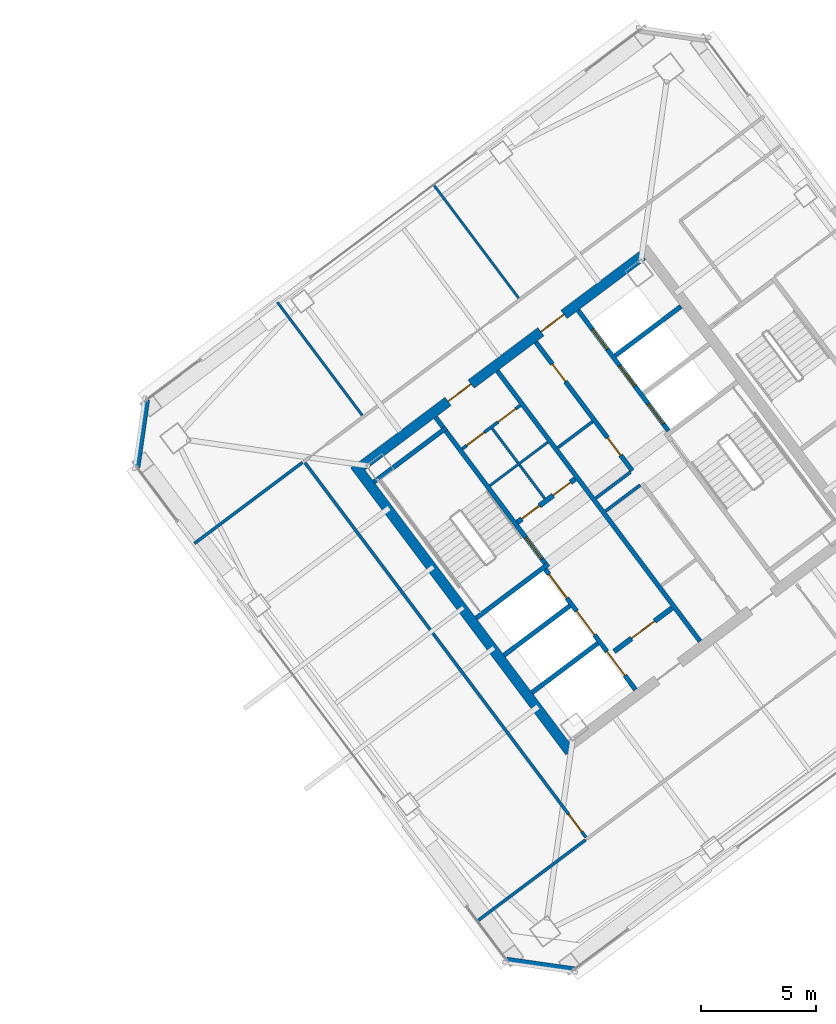
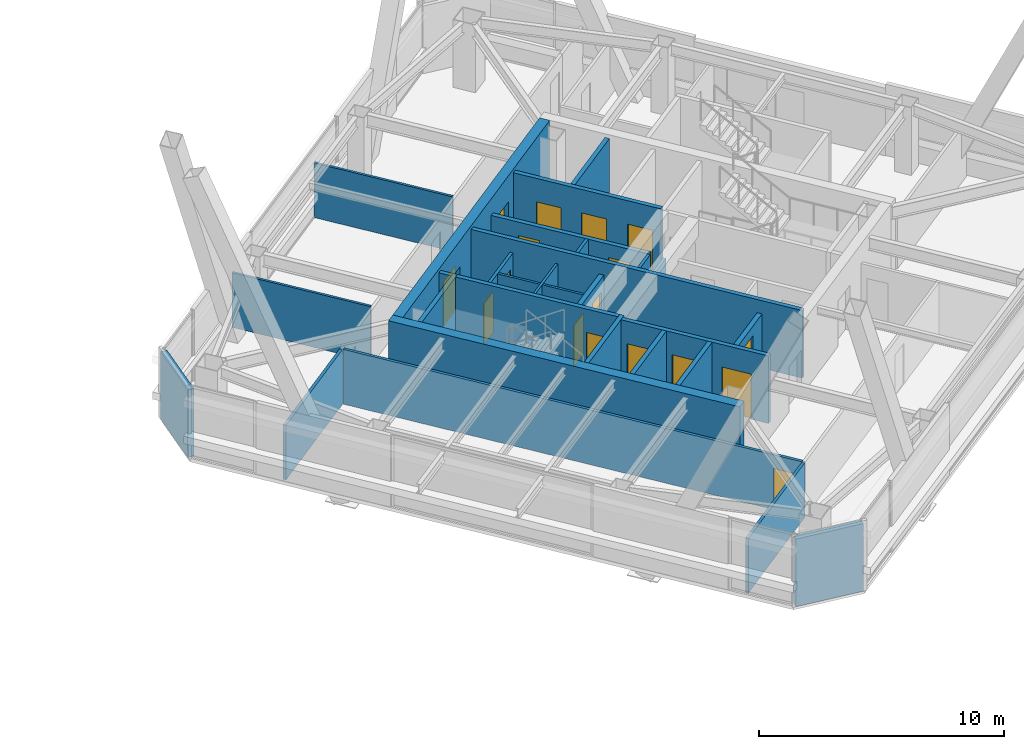
# One storey, part 48 of 56: 27 walls, 17 doors, 17 openings.
"""IFC4 building model written with IfcOpenShell, lengths in metres."""

from ifc_helpers import new_model, si_unit, direction, frame, frame_2d, origin, place, context, subcontext, project, spatial, rectangle, extrude, material, layer, layer_set, type_object, element, fill, save


model = new_model("IFC4")

# Units and contexts
model_context = context("Model", 3, precision=1e-05, world=origin(), true_north=direction((0.0, 1.0)))
body_context = subcontext(model_context, "Body", "Model", "MODEL_VIEW")
ifc_project = project(units=[si_unit("LENGTHUNIT", "METRE"), si_unit("AREAUNIT", "SQUARE_METRE"), si_unit("VOLUMEUNIT", "CUBIC_METRE"), si_unit("PLANEANGLEUNIT", "RADIAN"), si_unit("MASSUNIT", "GRAM", prefix="KILO")], contexts=[model_context])

# Site, building, storey
site_placement = place(None, origin())
site = spatial("IfcSite", under=ifc_project, at=site_placement, CompositionType="ELEMENT")
building_placement = place(site_placement, origin())
building = spatial("IfcBuilding", under=site, at=building_placement, Name="Tashvorn Skyway Center", CompositionType="ELEMENT")
storey_placement = place(building_placement, frame((0.0, 0.0, 218.39990234375)))
storey = spatial("IfcBuildingStorey", under=building, at=storey_placement, Name="L59", CompositionType="ELEMENT", Elevation=218.39990234375)

# Wall
ifc_material_1 = material(Name="Concrete C50/60", Category="concrete")
ifc_layer_1 = layer(ifc_material_1, 0.449951171875)
ifc_layer_set_1 = layer_set([ifc_layer_1], Name="Concrete C50/60")
wall_type_1 = type_object("IfcWallType", Name="WALL-CORE-450", PredefinedType="SHEAR", material=ifc_layer_set_1)
wall_1_placement = place(storey_placement, frame((112.39599609375, 21.047119140625, 0.0), z_axis=(0.0, 0.0, 1.0), x_axis=(-0.600005007985, 0.799996243986, 0.0)))
element("IfcWall", 1, at=wall_1_placement, inside=storey, type_object=wall_type_1, Name="Tower 2 L59 West Core Shear Wall", PredefinedType="SHEAR", context=body_context, shape_type="SweptSolid", body=[
    extrude(rectangle(XDim=15.60009765625, YDim=0.449951171875, at=frame_2d((7.800048828125, 0.0))), origin(), (0.0, 0.0, 1.0), 3.550048828125),
])

# Wall, openings, doors
wall_2_placement = place(storey_placement, frame((103.35107421875, 33.48193359375, 0.0), z_axis=(0.0, 0.0, 1.0), x_axis=(0.8, 0.6, 0.0)))
wall_2 = element("IfcWall", 2, at=wall_2_placement, inside=storey, type_object=wall_type_1, Name="Tower 2 L59 North Core Shear Wall", PredefinedType="SHEAR", context=body_context, shape_type="SweptSolid", body=[
    extrude(rectangle(XDim=15.260009765625, YDim=0.449951171875, at=frame_2d((7.6298828125, 0.0))), origin(), (0.0, 0.0, 1.0), 3.550048828125),
])
opening_1_placement = place(wall_2_placement, frame((4.679931640625, 0.0, 0.0)))
opening_1 = element("IfcOpeningElement", 3, at=opening_1_placement, cuts=wall_2, Name="Opening D-FFL-1250", PredefinedType="OPENING", context=body_context, shape_type="SweptSolid", body=[
    extrude(rectangle(XDim=1.25, YDim=2.25, at=frame_2d((0.625, 1.125))), frame((0.0, 0.23486328125, 0.0), z_axis=(0.0, -1.0, 0.0), x_axis=(1.0, 0.0, 0.0)), (0.0, 0.0, 1.0), 0.469970703125),
])
opening_2_placement = place(wall_2_placement, frame((9.72998046875, 0.0, 0.0)))
opening_2 = element("IfcOpeningElement", 4, at=opening_2_placement, cuts=wall_2, Name="Opening D-FFL-1250", PredefinedType="OPENING", context=body_context, shape_type="SweptSolid", body=[
    extrude(rectangle(XDim=1.25, YDim=2.25, at=frame_2d((0.625, 1.125))), frame((0.0, 0.23486328125, 0.0), z_axis=(0.0, -1.0, 0.0), x_axis=(1.0, 0.0, 0.0)), (0.0, 0.0, 1.0), 0.469970703125),
])
ifc_material_2 = material(Name="Hollow galvanized steel fire door assembly", Category="steel")
door_type_1 = type_object("IfcDoorType", Name="DOOR-FFL-1250", OperationType="NOTDEFINED", PredefinedType="DOOR", material=ifc_material_2)
door_1_placement = place(opening_1_placement, origin())
door_1 = element("IfcDoor", 5, at=door_1_placement, inside=storey, type_object=door_type_1, Name="Tower 2 L59 Core North Service Lobby Door", OperationType="SINGLE_SWING_LEFT", OverallHeight=2.25, OverallWidth=1.25, PredefinedType="DOOR", context=body_context, shape_type="SweptSolid", body=[
    extrude(rectangle(XDim=1.25, YDim=2.25, at=frame_2d((0.625, 1.125))), frame((0.0, 0.02490234375, 0.0), z_axis=(0.0, -1.0, 0.0), x_axis=(1.0, 0.0, 0.0)), (0.0, 0.0, 1.0), 0.050048828125),
])
fill(opening_1, door_1)
door_2_placement = place(opening_2_placement, origin())
door_2 = element("IfcDoor", 6, at=door_2_placement, inside=storey, type_object=door_type_1, Name="Tower 2 L59 Core North Lift Lobby Door", OperationType="SINGLE_SWING_RIGHT", OverallHeight=2.25, OverallWidth=1.25, PredefinedType="DOOR", context=body_context, shape_type="SweptSolid", body=[
    extrude(rectangle(XDim=1.25, YDim=2.25, at=frame_2d((0.625, 1.125))), frame((0.0, 0.02490234375, 0.0), z_axis=(0.0, -1.0, 0.0), x_axis=(1.0, 0.0, 0.0)), (0.0, 0.0, 1.0), 0.050048828125),
])
fill(opening_2, door_2)

# Walls
ifc_material_3 = material(Name="Precast concrete C40/50", Category="concrete")
ifc_layer_2 = layer(ifc_material_3, 0.280029296875)
ifc_layer_set_2 = layer_set([ifc_layer_2], Name="Precast concrete C40/50")
wall_type_2 = type_object("IfcWallType", Name="WALL-EXT-280", PredefinedType="SOLIDWALL", material=ifc_layer_set_2)
for number, where, z_axis, x_axis, name in (
    (7, (112.580078125, 11.56005859375, 0.0), (0.0, 0.0, 1.0), (-0.989954425158, 0.14138683146, 0.0), "Tower 2 L59 SW Precast Chamfer Wall"),
    (8, (93.56005859375, 33.419921875, 0.0), (0.0, 0.0, 1.0), (0.14138683146, 0.989954425158, 0.0), "Tower 2 L59 NW Precast Chamfer Wall"),
):
    element("IfcWall", number, at=place(storey_placement, frame(where, z_axis=z_axis, x_axis=x_axis)), inside=storey, type_object=wall_type_2, Name=name, PredefinedType="SOLIDWALL", context=body_context, shape_type="SweptSolid", body=[
        extrude(rectangle(XDim=2.969970703125, YDim=0.280029296875, at=frame_2d((1.48486328125, 0.0))), origin(), (0.0, 0.0, 1.0), 3.3701171875),
    ])

# Wall, openings, doors
ifc_material_4 = material(Name="Concrete C40/50", Category="concrete")
ifc_layer_3 = layer(ifc_material_4, 0.219970703125)
ifc_layer_set_3 = layer_set([ifc_layer_3], Name="Concrete C40/50")
wall_type_3 = type_object("IfcWallType", Name="WALL-FFL-220", PredefinedType="SOLIDWALL", material=ifc_layer_set_3)
wall_3_placement = place(storey_placement, frame((110.10400390625, 31.028076171875, 0.0), z_axis=(0.0, 0.0, 1.0), x_axis=(0.800018601094, 0.59997519774, 0.0)))
wall_3 = element("IfcWall", 9, at=wall_3_placement, inside=storey, type_object=wall_type_3, Name="Tower 2 L59 Firefighting Lobby North Wall", PredefinedType="SOLIDWALL", context=body_context, shape_type="SweptSolid", body=[
    extrude(rectangle(XDim=3.14990234375, YDim=0.219970703125, at=frame_2d((1.574951171875, 0.0))), origin(), (0.0, 0.0, 1.0), 2.72314453125),
])
opening_3_placement = place(wall_3_placement, frame((0.25, 0.0, 0.0)))
opening_3 = element("IfcOpeningElement", 10, at=opening_3_placement, cuts=wall_3, Name="Opening D-RT-950", PredefinedType="OPENING", context=body_context, shape_type="SweptSolid", body=[
    extrude(rectangle(XDim=0.949951171875, YDim=2.050048828125, at=frame_2d((0.47509765625, 1.02490234375))), frame((0.0, 0.119873046875, 0.0), z_axis=(0.0, -1.0, 0.0), x_axis=(1.0, 0.0, 0.0)), (0.0, 0.0, 1.0), 0.239990234375),
])
opening_4_placement = place(wall_3_placement, frame((1.949951171875, 0.0, 0.0)))
opening_4 = element("IfcOpeningElement", 11, at=opening_4_placement, cuts=wall_3, Name="Opening D-RT-950", PredefinedType="OPENING", context=body_context, shape_type="SweptSolid", body=[
    extrude(rectangle(XDim=0.949951171875, YDim=2.050048828125, at=frame_2d((0.47509765625, 1.02490234375))), frame((0.0, 0.119873046875, 0.0), z_axis=(0.0, -1.0, 0.0), x_axis=(1.0, 0.0, 0.0)), (0.0, 0.0, 1.0), 0.239990234375),
])
door_type_2 = type_object("IfcDoorType", Name="DOOR-RATED-950", OperationType="NOTDEFINED", PredefinedType="DOOR", material=ifc_material_2)
door_3_placement = place(opening_3_placement, origin())
door_3 = element("IfcDoor", 12, at=door_3_placement, inside=storey, type_object=door_type_2, Name="Tower 2 L59 Core Mail Room Door", OperationType="SINGLE_SWING_LEFT", OverallHeight=2.050048828125, OverallWidth=0.949951171875, PredefinedType="DOOR", context=body_context, shape_type="SweptSolid", body=[
    extrude(rectangle(XDim=0.949951171875, YDim=2.050048828125, at=frame_2d((0.47509765625, 1.02490234375))), frame((0.0, 0.02490234375, 0.0), z_axis=(0.0, -1.0, 0.0), x_axis=(1.0, 0.0, 0.0)), (0.0, 0.0, 1.0), 0.050048828125),
])
fill(opening_3, door_3)
door_4_placement = place(opening_4_placement, origin())
door_4 = element("IfcDoor", 13, at=door_4_placement, inside=storey, type_object=door_type_2, Name="Tower 2 L59 Core Supply Closet Door", OperationType="SINGLE_SWING_RIGHT", OverallHeight=2.050048828125, OverallWidth=0.949951171875, PredefinedType="DOOR", context=body_context, shape_type="SweptSolid", body=[
    extrude(rectangle(XDim=0.949951171875, YDim=2.050048828125, at=frame_2d((0.47509765625, 1.02490234375))), frame((0.0, 0.02490234375, 0.0), z_axis=(0.0, -1.0, 0.0), x_axis=(1.0, 0.0, 0.0)), (0.0, 0.0, 1.0), 0.050048828125),
])
fill(opening_4, door_4)

# Wall, opening, door
wall_4_placement = place(storey_placement, frame((114.31591796875, 25.412109375, 0.0), z_axis=(0.0, 0.0, 1.0), x_axis=(0.800018601094, 0.59997519774, 0.0)))
wall_4 = element("IfcWall", 14, at=wall_4_placement, inside=storey, type_object=wall_type_3, Name="Tower 2 L59 Firefighting Lobby South Wall", PredefinedType="SOLIDWALL", context=body_context, shape_type="SweptSolid", body=[
    extrude(rectangle(XDim=3.14990234375, YDim=0.219970703125, at=frame_2d((1.574951171875, 0.0))), origin(), (0.0, 0.0, 1.0), 2.72314453125),
])
opening_5_placement = place(wall_4_placement, frame((0.949951171875, 0.0, 0.0)))
opening_5 = element("IfcOpeningElement", 15, at=opening_5_placement, cuts=wall_4, Name="Opening D-FFL-1250", PredefinedType="OPENING", context=body_context, shape_type="SweptSolid", body=[
    extrude(rectangle(XDim=1.25, YDim=2.25, at=frame_2d((0.625, 1.125))), frame((0.0, 0.119873046875, 0.0), z_axis=(0.0, -1.0, 0.0), x_axis=(1.0, 0.0, 0.0)), (0.0, 0.0, 1.0), 0.239990234375),
])
door_5_placement = place(opening_5_placement, origin())
door_5 = element("IfcDoor", 16, at=door_5_placement, inside=storey, type_object=door_type_1, Name="Tower 2 L59 Firefighting Lobby Egress Door", OperationType="SINGLE_SWING_LEFT", OverallHeight=2.25, OverallWidth=1.25, PredefinedType="DOOR", context=body_context, shape_type="SweptSolid", body=[
    extrude(rectangle(XDim=1.25, YDim=2.25, at=frame_2d((0.625, 1.125))), frame((0.0, 0.02490234375, 0.0), z_axis=(0.0, -1.0, 0.0), x_axis=(1.0, 0.0, 0.0)), (0.0, 0.0, 1.0), 0.050048828125),
])
fill(opening_5, door_5)

# Walls
ifc_material_5 = material(Name="Gypsum board on cold-formed steel stud framing", Category="steel")
ifc_layer_4 = layer(ifc_material_5, 0.110107421875)
ifc_layer_set_4 = layer_set([ifc_layer_4], Name="Gypsum board on cold-formed steel stud framing")
wall_type_4 = type_object("IfcWallType", Name="WALL-PART-110", PredefinedType="PARTITIONING", material=ifc_layer_set_4)
wall_5_placement = place(storey_placement, frame((103.362060546875, 35.68408203125, 0.0), z_axis=(0.0, 0.0, 1.0), x_axis=(-0.6, 0.8, 0.0)))
element("IfcWall", 17, at=wall_5_placement, inside=storey, type_object=wall_type_4, Name="Tower 2 L59 North Suite Partition 1", PredefinedType="PARTITIONING", context=body_context, shape_type="SweptSolid", body=[
    extrude(rectangle(XDim=6.14990234375, YDim=0.110107421875, at=frame_2d((3.074951171875, 0.0))), origin(), (0.0, 0.0, 1.0), 2.72314453125),
])
wall_6_placement = place(storey_placement, frame((110.162109375, 40.783935546875, 0.0), z_axis=(0.0, 0.0, 1.0), x_axis=(-0.600006351355, 0.799995236444, 0.0)))
element("IfcWall", 18, at=wall_6_placement, inside=storey, type_object=wall_type_4, Name="Tower 2 L59 North Suite Partition 2", PredefinedType="PARTITIONING", context=body_context, shape_type="SweptSolid", body=[
    extrude(rectangle(XDim=6.150146484375, YDim=0.110107421875, at=frame_2d((3.0751953125, 0.0))), origin(), (0.0, 0.0, 1.0), 2.72314453125),
])

# Wall, opening, door
ifc_layer_5 = layer(ifc_material_5, 0.135009765625)
ifc_layer_set_5 = layer_set([ifc_layer_5], Name="Gypsum board on cold-formed steel stud framing")
wall_type_5 = type_object("IfcWallType", Name="WALL-PART-135", PredefinedType="PARTITIONING", material=ifc_layer_set_5)
wall_7_placement = place(storey_placement, frame((113.090087890625, 17.330078125, 0.0), z_axis=(0.0, 0.0, 1.0), x_axis=(-0.60000575578, 0.799995683132, 0.0)))
wall_7 = element("IfcWall", 19, at=wall_7_placement, inside=storey, type_object=wall_type_5, Name="Tower 2 L59 West Inner Suite Wall", PredefinedType="PARTITIONING", context=body_context, shape_type="SweptSolid", body=[
    extrude(rectangle(XDim=20.35986328125, YDim=0.135009765625, at=frame_2d((10.179931640625, 0.0))), origin(), (0.0, 0.0, 1.0), 2.72314453125),
])
opening_6_placement = place(wall_7_placement, frame((0.300048828125, 0.0, 0.0)))
opening_6 = element("IfcOpeningElement", 20, at=opening_6_placement, cuts=wall_7, Name="Opening D-INT-950", PredefinedType="OPENING", context=body_context, shape_type="SweptSolid", body=[
    extrude(rectangle(XDim=0.949951171875, YDim=2.050048828125, at=frame_2d((0.47509765625, 1.02490234375))), frame((0.0, 0.077392578125, 0.0), z_axis=(0.0, -1.0, 0.0), x_axis=(1.0, 0.0, 0.0)), (0.0, 0.0, 1.0), 0.155029296875),
])
ifc_material_6 = material(Name="Solid-core architectural oak veneer door")
door_type_3 = type_object("IfcDoorType", Name="DOOR-INT-950", OperationType="NOTDEFINED", PredefinedType="DOOR", material=ifc_material_6)
door_6_placement = place(opening_6_placement, origin())
door_6 = element("IfcDoor", 21, at=door_6_placement, inside=storey, type_object=door_type_3, Name="Tower 2 L59 Public Restroom Door", OperationType="SINGLE_SWING_RIGHT", OverallHeight=2.050048828125, OverallWidth=0.949951171875, PredefinedType="DOOR", context=body_context, shape_type="SweptSolid", body=[
    extrude(rectangle(XDim=0.949951171875, YDim=2.050048828125, at=frame_2d((0.47509765625, 1.02490234375))), frame((0.0, 0.02490234375, 0.0), z_axis=(0.0, -1.0, 0.0), x_axis=(1.0, 0.0, 0.0)), (0.0, 0.0, 1.0), 0.050048828125),
])
fill(opening_6, door_6)

# Walls
for number, where, z_axis, x_axis, name in (
    (22, (100.761962890625, 33.634033203125, 0.0), (0.0, 0.0, 1.0), (-0.800004990905, -0.599993345402, 0.0), "Tower 2 L59 West Suite North Wall"),
    (23, (108.3779296875, 13.696044921875, 0.0), (0.0, 0.0, 1.0), (0.800004990905, 0.599993345402, 0.0), "Tower 2 L59 West Suite South Wall"),
):
    element("IfcWall", number, at=place(storey_placement, frame(where, z_axis=z_axis, x_axis=x_axis)), inside=storey, type_object=wall_type_5, Name=name, PredefinedType="PARTITIONING", context=body_context, shape_type="SweptSolid", body=[
        extrude(rectangle(XDim=5.8701171875, YDim=0.135009765625, at=frame_2d((2.93505859375, 0.0))), origin(), (0.0, 0.0, 1.0), 2.72314453125),
    ])
ifc_layer_6 = layer(ifc_material_5, 0.110107421875)
ifc_layer_set_6 = layer_set([ifc_layer_6], Name="Gypsum board on cold-formed steel stud framing")
wall_type_6 = type_object("IfcWallType", Name="WALL-RATED-110", PredefinedType="PARTITIONING", material=ifc_layer_set_6)
wall_8_placement = place(storey_placement, frame((111.2958984375, 32.072021484375, 0.0), z_axis=(0.0, 0.0, 1.0), x_axis=(-0.59995887973, 0.800030838552, 0.0)))
element("IfcWall", 24, at=wall_8_placement, inside=storey, type_object=wall_type_6, Name="Tower 2 L59 Core Cross Vertical", PredefinedType="PARTITIONING", context=body_context, shape_type="SweptSolid", body=[
    extrude(rectangle(XDim=3.7998046875, YDim=0.110107421875, at=frame_2d((1.89990234375, 0.0))), origin(), (0.0, 0.0, 1.0), 2.72314453125),
])
wall_9_placement = place(storey_placement, frame((108.909912109375, 32.6201171875, 0.0), z_axis=(0.0, 0.0, 1.0), x_axis=(0.800018601094, 0.59997519774, 0.0)))
element("IfcWall", 25, at=wall_9_placement, inside=storey, type_object=wall_type_6, Name="Tower 2 L59 Core Cross Horizontal", PredefinedType="PARTITIONING", context=body_context, shape_type="SweptSolid", body=[
    extrude(rectangle(XDim=3.14990234375, YDim=0.110107421875, at=frame_2d((1.574951171875, 0.0))), origin(), (0.0, 0.0, 1.0), 2.72314453125),
])

# Wall, openings, doors
ifc_layer_7 = layer(ifc_material_5, 0.135009765625)
ifc_layer_set_7 = layer_set([ifc_layer_7], Name="Gypsum board on cold-formed steel stud framing")
wall_type_7 = type_object("IfcWallType", Name="WALL-RATED-135", PredefinedType="PARTITIONING", material=ifc_layer_set_7)
wall_10_placement = place(storey_placement, frame((107.7099609375, 34.219970703125, 0.0), z_axis=(0.0, 0.0, 1.0), x_axis=(0.799981399002, 0.60002480053, 0.0)))
wall_10 = element("IfcWall", 26, at=wall_10_placement, inside=storey, type_object=wall_type_7, Name="Tower 2 L59 Core Service Lobby Wall", PredefinedType="PARTITIONING", context=body_context, shape_type="SweptSolid", body=[
    extrude(rectangle(XDim=3.150146484375, YDim=0.135009765625, at=frame_2d((1.5751953125, 0.0))), origin(), (0.0, 0.0, 1.0), 2.72314453125),
])
opening_7_placement = place(wall_10_placement, frame((0.25, 0.0, 0.0)))
opening_7 = element("IfcOpeningElement", 27, at=opening_7_placement, cuts=wall_10, Name="Opening D-RT-950", PredefinedType="OPENING", context=body_context, shape_type="SweptSolid", body=[
    extrude(rectangle(XDim=0.949951171875, YDim=2.050048828125, at=frame_2d((0.47509765625, 1.02490234375))), frame((0.0, 0.077392578125, 0.0), z_axis=(0.0, -1.0, 0.0), x_axis=(1.0, 0.0, 0.0)), (0.0, 0.0, 1.0), 0.155029296875),
])
opening_8_placement = place(wall_10_placement, frame((1.949951171875, 0.0, 0.0)))
opening_8 = element("IfcOpeningElement", 28, at=opening_8_placement, cuts=wall_10, Name="Opening D-RT-950", PredefinedType="OPENING", context=body_context, shape_type="SweptSolid", body=[
    extrude(rectangle(XDim=0.949951171875, YDim=2.050048828125, at=frame_2d((0.47509765625, 1.02490234375))), frame((0.0, 0.077392578125, 0.0), z_axis=(0.0, -1.0, 0.0), x_axis=(1.0, 0.0, 0.0)), (0.0, 0.0, 1.0), 0.155029296875),
])
door_7_placement = place(opening_7_placement, origin())
door_7 = element("IfcDoor", 29, at=door_7_placement, inside=storey, type_object=door_type_2, Name="Tower 2 L59 Core Cleaner Store Door", OperationType="SINGLE_SWING_LEFT", OverallHeight=2.050048828125, OverallWidth=0.949951171875, PredefinedType="DOOR", context=body_context, shape_type="SweptSolid", body=[
    extrude(rectangle(XDim=0.949951171875, YDim=2.050048828125, at=frame_2d((0.47509765625, 1.02490234375))), frame((0.0, 0.02490234375, 0.0), z_axis=(0.0, -1.0, 0.0), x_axis=(1.0, 0.0, 0.0)), (0.0, 0.0, 1.0), 0.050048828125),
])
fill(opening_7, door_7)
door_8_placement = place(opening_8_placement, origin())
door_8 = element("IfcDoor", 30, at=door_8_placement, inside=storey, type_object=door_type_2, Name="Tower 2 L59 Core Accessible WC Door", OperationType="SINGLE_SWING_RIGHT", OverallHeight=2.050048828125, OverallWidth=0.949951171875, PredefinedType="DOOR", context=body_context, shape_type="SweptSolid", body=[
    extrude(rectangle(XDim=0.949951171875, YDim=2.050048828125, at=frame_2d((0.47509765625, 1.02490234375))), frame((0.0, 0.02490234375, 0.0), z_axis=(0.0, -1.0, 0.0), x_axis=(1.0, 0.0, 0.0)), (0.0, 0.0, 1.0), 0.050048828125),
])
fill(opening_8, door_8)

# Walls
wall_11_placement = place(storey_placement, frame((113.946044921875, 31.52197265625, 0.0), z_axis=(0.0, 0.0, 1.0), x_axis=(0.8, 0.6, 0.0)))
element("IfcWall", 31, at=wall_11_placement, inside=storey, type_object=wall_type_7, Name="Tower 2 L59 Core Room Partition", PredefinedType="PARTITIONING", context=body_context, shape_type="SweptSolid", body=[
    extrude(rectangle(XDim=1.8798828125, YDim=0.135009765625, at=frame_2d((0.93994140625, 0.0))), origin(), (0.0, 0.0, 1.0), 2.72314453125),
])
wall_12_placement = place(storey_placement, frame((113.52587890625, 32.08203125, 0.0), z_axis=(0.0, 0.0, 1.0), x_axis=(0.800046745961, 0.599937666993, 0.0)))
element("IfcWall", 32, at=wall_12_placement, inside=storey, type_object=wall_type_7, Name="Tower 2 L59 Core Room Partition", PredefinedType="PARTITIONING", context=body_context, shape_type="SweptSolid", body=[
    extrude(rectangle(XDim=1.880126953125, YDim=0.135009765625, at=frame_2d((0.93994140625, 0.0))), origin(), (0.0, 0.0, 1.0), 2.72314453125),
])
wall_13_placement = place(storey_placement, frame((111.8759765625, 34.281982421875, 0.0), z_axis=(0.0, 0.0, 1.0), x_axis=(0.8, 0.6, 0.0)))
element("IfcWall", 33, at=wall_13_placement, inside=storey, type_object=wall_type_7, Name="Tower 2 L59 Freed Mid-Rise Partition", PredefinedType="PARTITIONING", context=body_context, shape_type="SweptSolid", body=[
    extrude(rectangle(XDim=1.8798828125, YDim=0.135009765625, at=frame_2d((0.93994140625, 0.0))), origin(), (0.0, 0.0, 1.0), 2.72314453125),
])
ifc_layer_8 = layer(ifc_material_4, 0.199951171875)
ifc_layer_set_8 = layer_set([ifc_layer_8], Name="Concrete C40/50")
wall_type_8 = type_object("IfcWallType", Name="WALL-SHAFT-200", PredefinedType="SOLIDWALL", material=ifc_layer_set_8)
for number, where, z_axis, x_axis, name in (
    (34, (110.74609375, 23.6220703125, 0.0), (0.0, 0.0, 1.0), (0.800008183455, 0.599989088572, 0.0), "Tower 2 L59 FSAE Shaft Divider"),
    (35, (109.528076171875, 25.24609375, 0.0), (0.0, 0.0, 1.0), (0.800008183455, 0.599989088572, 0.0), "Tower 2 L59 FSAE Shaft Divider"),
    (36, (114.360107421875, 38.27001953125, 0.0), (0.0, 0.0, 1.0), (0.800008183455, 0.599989088572, 0.0), "Tower 2 L59 High-Rise Shaft Divider"),
):
    element("IfcWall", number, at=place(storey_placement, frame(where, z_axis=z_axis, x_axis=x_axis)), inside=storey, type_object=wall_type_8, Name=name, PredefinedType="SOLIDWALL", context=body_context, shape_type="SweptSolid", body=[
        extrude(rectangle(XDim=3.580078125, YDim=0.199951171875, at=frame_2d((1.7900390625, 0.0))), origin(), (0.0, 0.0, 1.0), 3.3701171875),
    ])

# Wall, openings, doors
wall_14_placement = place(storey_placement, frame((115.110107421875, 33.27001953125, 0.0), z_axis=(0.0, 0.0, 1.0), x_axis=(-0.600011160345, 0.79999162962, 0.0)))
wall_14 = element("IfcWall", 37, at=wall_14_placement, inside=storey, type_object=wall_type_8, Name="Tower 2 L59 Mid-Rise Core Wall", PredefinedType="SOLIDWALL", context=body_context, shape_type="SweptSolid", body=[
    extrude(rectangle(XDim=7.000244140625, YDim=0.199951171875, at=frame_2d((3.5, 0.0))), origin(), (0.0, 0.0, 1.0), 2.72314453125),
])
opening_9_placement = place(wall_14_placement, frame((0.85009765625, 0.0, 0.0)))
opening_9 = element("IfcOpeningElement", 38, at=opening_9_placement, cuts=wall_14, Name="Opening D-RT-950", PredefinedType="OPENING", context=body_context, shape_type="SweptSolid", body=[
    extrude(rectangle(XDim=0.949951171875, YDim=2.050048828125, at=frame_2d((0.47509765625, 1.02490234375))), frame((0.0, 0.10986328125, 0.0), z_axis=(0.0, -1.0, 0.0), x_axis=(1.0, 0.0, 0.0)), (0.0, 0.0, 1.0), 0.219970703125),
])
opening_10_placement = place(wall_14_placement, frame((4.85009765625, 0.0, 0.0)))
opening_10 = element("IfcOpeningElement", 39, at=opening_10_placement, cuts=wall_14, Name="Opening D-RT-950", PredefinedType="OPENING", context=body_context, shape_type="SweptSolid", body=[
    extrude(rectangle(XDim=0.949951171875, YDim=2.050048828125, at=frame_2d((0.47509765625, 1.02490234375))), frame((0.0, 0.10986328125, 0.0), z_axis=(0.0, -1.0, 0.0), x_axis=(1.0, 0.0, 0.0)), (0.0, 0.0, 1.0), 0.219970703125),
])
door_9_placement = place(opening_9_placement, origin())
door_9 = element("IfcDoor", 40, at=door_9_placement, inside=storey, type_object=door_type_2, Name="Tower 2 L59 Core IT Room Door", OperationType="SINGLE_SWING_RIGHT", OverallHeight=2.050048828125, OverallWidth=0.949951171875, PredefinedType="DOOR", context=body_context, shape_type="SweptSolid", body=[
    extrude(rectangle(XDim=0.949951171875, YDim=2.050048828125, at=frame_2d((0.47509765625, 1.02490234375))), frame((0.0, 0.02490234375, 0.0), z_axis=(0.0, -1.0, 0.0), x_axis=(1.0, 0.0, 0.0)), (0.0, 0.0, 1.0), 0.050048828125),
])
fill(opening_9, door_9)
door_10_placement = place(opening_10_placement, origin())
door_10 = element("IfcDoor", 41, at=door_10_placement, inside=storey, type_object=door_type_2, Name="Tower 2 L59 Core Catering Pantry Door", OperationType="SINGLE_SWING_LEFT", OverallHeight=2.050048828125, OverallWidth=0.949951171875, PredefinedType="DOOR", context=body_context, shape_type="SweptSolid", body=[
    extrude(rectangle(XDim=0.949951171875, YDim=2.050048828125, at=frame_2d((0.47509765625, 1.02490234375))), frame((0.0, 0.02490234375, 0.0), z_axis=(0.0, -1.0, 0.0), x_axis=(1.0, 0.0, 0.0)), (0.0, 0.0, 1.0), 0.050048828125),
])
fill(opening_10, door_10)

# Wall, opening, door
ifc_layer_9 = layer(ifc_material_4, 0.199951171875)
ifc_layer_set_9 = layer_set([ifc_layer_9], Name="Concrete C40/50")
wall_type_9 = type_object("IfcWallType", Name="WALL-STSHF-200", PredefinedType="SHEAR", material=ifc_layer_set_9)
wall_15_placement = place(storey_placement, frame((111.43994140625, 29.080078125, 0.0), z_axis=(0.0, 0.0, 1.0), x_axis=(-0.59999041401, 0.800007189403, 0.0)))
wall_15 = element("IfcWall", 42, at=wall_15_placement, inside=storey, type_object=wall_type_9, Name="Tower 2 L59 Stair 1 Enclosure Wall", PredefinedType="SHEAR", context=body_context, shape_type="SweptSolid", body=[
    extrude(rectangle(XDim=8.14990234375, YDim=0.199951171875, at=frame_2d((4.074951171875, 0.0))), origin(), (0.0, 0.0, 1.0), 3.3701171875),
])
opening_11_placement = place(wall_15_placement, frame((0.449951171875, 0.0, 0.0)))
opening_11 = element("IfcOpeningElement", 43, at=opening_11_placement, cuts=wall_15, Name="Opening D-ST-1150", PredefinedType="OPENING", context=body_context, shape_type="SweptSolid", body=[
    extrude(rectangle(XDim=1.14990234375, YDim=2.199951171875, at=frame_2d((0.574951171875, 1.10009765625))), frame((0.0, 0.10986328125, 0.0), z_axis=(0.0, -1.0, 0.0), x_axis=(1.0, 0.0, 0.0)), (0.0, 0.0, 1.0), 0.219970703125),
])
door_type_4 = type_object("IfcDoorType", Name="DOOR-STAIR-1150", OperationType="NOTDEFINED", PredefinedType="DOOR", material=ifc_material_2)
door_11_placement = place(opening_11_placement, origin())
door_11 = element("IfcDoor", 44, at=door_11_placement, inside=storey, type_object=door_type_4, Name="Tower 2 L59 Exit Stair 1 Door", OperationType="SINGLE_SWING_RIGHT", OverallHeight=2.199951171875, OverallWidth=1.14990234375, PredefinedType="DOOR", context=body_context, shape_type="SweptSolid", body=[
    extrude(rectangle(XDim=1.14990234375, YDim=2.199951171875, at=frame_2d((0.574951171875, 1.10009765625))), frame((0.0, 0.02490234375, 0.0), z_axis=(0.0, -1.0, 0.0), x_axis=(1.0, 0.0, 0.0)), (0.0, 0.0, 1.0), 0.050048828125),
])
fill(opening_11, door_11)

# Walls
for number, where, z_axis, x_axis, name in (
    (45, (108.31591796875, 26.862060546875, 0.0), (0.0, 0.0, 1.0), (0.800014909178, 0.599980120581, 0.0), "Tower 2 L59 Stair 1 South Wall"),
    (46, (103.8759765625, 32.781982421875, 0.0), (0.0, 0.0, 1.0), (0.800014909178, 0.599980120581, 0.0), "Tower 2 L59 Stair 1 North Wall"),
):
    element("IfcWall", number, at=place(storey_placement, frame(where, z_axis=z_axis, x_axis=x_axis)), inside=storey, type_object=wall_type_9, Name=name, PredefinedType="SHEAR", context=body_context, shape_type="SweptSolid", body=[
        extrude(rectangle(XDim=3.929931640625, YDim=0.199951171875, at=frame_2d((1.96484375, 0.0))), origin(), (0.0, 0.0, 1.0), 3.3701171875),
    ])
wall_16_placement = place(storey_placement, frame((118.05810546875, 25.85595703125, 0.0), z_axis=(0.0, 0.0, 1.0), x_axis=(-0.600002657301, 0.799998007018, 0.0)))
element("IfcWall", 47, at=wall_16_placement, inside=storey, type_object=wall_type_9, Name="Tower 2 L59 Firefighting Lobby East Smoke Barrier", PredefinedType="SHEAR", context=body_context, shape_type="SweptSolid", body=[
    extrude(rectangle(XDim=14.699951171875, YDim=0.199951171875, at=frame_2d((7.35009765625, 0.0))), origin(), (0.0, 0.0, 1.0), 3.3701171875),
])

# Wall, openings, doors
wall_17_placement = place(storey_placement, frame((115.25, 23.75, 0.0), z_axis=(0.0, 0.0, 1.0), x_axis=(-0.599994036198, 0.800004472816, 0.0)))
wall_17 = element("IfcWall", 48, at=wall_17_placement, inside=storey, type_object=wall_type_9, Name="Tower 2 L59 FSAE and Goods Shaft Front Wall", PredefinedType="SHEAR", context=body_context, shape_type="SweptSolid", body=[
    extrude(rectangle(XDim=6.550048828125, YDim=0.199951171875, at=frame_2d((3.27490234375, 0.0))), origin(), (0.0, 0.0, 1.0), 3.3701171875),
])
opening_12_placement = place(wall_17_placement, frame((4.97509765625, 0.0, 0.0)))
opening_12 = element("IfcOpeningElement", 49, at=opening_12_placement, cuts=wall_17, Name="Opening LD-FF-T2-1-L59", PredefinedType="OPENING", context=body_context, shape_type="SweptSolid", body=[
    extrude(rectangle(XDim=1.300048828125, YDim=2.25, at=frame_2d((0.64990234375, 1.125))), frame((0.0, 0.10986328125, 0.0), z_axis=(0.0, -1.0, 0.0), x_axis=(1.0, 0.0, 0.0)), (0.0, 0.0, 1.0), 0.219970703125),
])
opening_13_placement = place(wall_17_placement, frame((2.97509765625, 0.0, 0.0)))
opening_13 = element("IfcOpeningElement", 50, at=opening_13_placement, cuts=wall_17, Name="Opening LD-FF-T2-2-L59", PredefinedType="OPENING", context=body_context, shape_type="SweptSolid", body=[
    extrude(rectangle(XDim=1.300048828125, YDim=2.25, at=frame_2d((0.64990234375, 1.125))), frame((0.0, 0.10986328125, 0.0), z_axis=(0.0, -1.0, 0.0), x_axis=(1.0, 0.0, 0.0)), (0.0, 0.0, 1.0), 0.219970703125),
])
opening_14_placement = place(wall_17_placement, frame((0.77490234375, 0.0, 0.0)))
opening_14 = element("IfcOpeningElement", 51, at=opening_14_placement, cuts=wall_17, Name="Opening LD-GD-T2-1-L59", PredefinedType="OPENING", context=body_context, shape_type="SweptSolid", body=[
    extrude(rectangle(XDim=1.300048828125, YDim=2.25, at=frame_2d((0.64990234375, 1.125))), frame((0.0, 0.10986328125, 0.0), z_axis=(0.0, -1.0, 0.0), x_axis=(1.0, 0.0, 0.0)), (0.0, 0.0, 1.0), 0.219970703125),
])
ifc_material_7 = material(Name="Stainless steel heavy-duty landing door", Category="steel")
door_type_5 = type_object("IfcDoorType", Name="DOOR-LIFT-1300", OperationType="SLIDING_TO_LEFT", PredefinedType="DOOR", material=ifc_material_7)
door_12_placement = place(opening_12_placement, origin())
door_12 = element("IfcDoor", 52, at=door_12_placement, inside=storey, type_object=door_type_5, Name="Lift FF-T2-1 L59 Landing Door", OperationType="SLIDING_TO_LEFT", OverallHeight=2.25, OverallWidth=1.300048828125, PredefinedType="DOOR", context=body_context, shape_type="SweptSolid", body=[
    extrude(rectangle(XDim=1.300048828125, YDim=2.25, at=frame_2d((0.64990234375, 1.125))), frame((0.0, 0.02490234375, 0.0), z_axis=(0.0, -1.0, 0.0), x_axis=(1.0, 0.0, 0.0)), (0.0, 0.0, 1.0), 0.050048828125),
])
fill(opening_12, door_12)
door_13_placement = place(opening_13_placement, origin())
door_13 = element("IfcDoor", 53, at=door_13_placement, inside=storey, type_object=door_type_5, Name="Lift FF-T2-2 L59 Landing Door", OperationType="SLIDING_TO_LEFT", OverallHeight=2.25, OverallWidth=1.300048828125, PredefinedType="DOOR", context=body_context, shape_type="SweptSolid", body=[
    extrude(rectangle(XDim=1.300048828125, YDim=2.25, at=frame_2d((0.64990234375, 1.125))), frame((0.0, 0.02490234375, 0.0), z_axis=(0.0, -1.0, 0.0), x_axis=(1.0, 0.0, 0.0)), (0.0, 0.0, 1.0), 0.050048828125),
])
fill(opening_13, door_13)
door_14_placement = place(opening_14_placement, origin())
door_14 = element("IfcDoor", 54, at=door_14_placement, inside=storey, type_object=door_type_5, Name="Lift GD-T2-1 L59 Landing Door", OperationType="SLIDING_TO_LEFT", OverallHeight=2.25, OverallWidth=1.300048828125, PredefinedType="DOOR", context=body_context, shape_type="SweptSolid", body=[
    extrude(rectangle(XDim=1.300048828125, YDim=2.25, at=frame_2d((0.64990234375, 1.125))), frame((0.0, 0.02490234375, 0.0), z_axis=(0.0, -1.0, 0.0), x_axis=(1.0, 0.0, 0.0)), (0.0, 0.0, 1.0), 0.050048828125),
])
fill(opening_14, door_14)

wall_18_placement = place(storey_placement, frame((112.75, 40.25, 0.0), z_axis=(0.0, 0.0, 1.0), x_axis=(0.599994036198, -0.800004472816, 0.0)))
wall_18 = element("IfcWall", 55, at=wall_18_placement, inside=storey, type_object=wall_type_9, Name="Tower 2 L59 High-Rise Lift Shaft Front Wall", PredefinedType="SHEAR", context=body_context, shape_type="SweptSolid", body=[
    extrude(rectangle(XDim=6.550048828125, YDim=0.199951171875, at=frame_2d((3.27490234375, 0.0))), origin(), (0.0, 0.0, 1.0), 3.3701171875),
])
opening_15_placement = place(wall_18_placement, frame((5.074951171875, 0.0, 0.0)))
opening_15 = element("IfcOpeningElement", 56, at=opening_15_placement, cuts=wall_18, Name="Opening LD-HR-T2-1-L59", PredefinedType="OPENING", context=body_context, shape_type="SweptSolid", body=[
    extrude(rectangle(XDim=1.10009765625, YDim=2.199951171875, at=frame_2d((0.550048828125, 1.10009765625))), frame((0.0, 0.10986328125, 0.0), z_axis=(0.0, -1.0, 0.0), x_axis=(1.0, 0.0, 0.0)), (0.0, 0.0, 1.0), 0.219970703125),
])
opening_16_placement = place(wall_18_placement, frame((3.02490234375, 0.0, 0.0)))
opening_16 = element("IfcOpeningElement", 57, at=opening_16_placement, cuts=wall_18, Name="Opening LD-HR-T2-2-L59", PredefinedType="OPENING", context=body_context, shape_type="SweptSolid", body=[
    extrude(rectangle(XDim=1.10009765625, YDim=2.199951171875, at=frame_2d((0.550048828125, 1.10009765625))), frame((0.0, 0.10986328125, 0.0), z_axis=(0.0, -1.0, 0.0), x_axis=(1.0, 0.0, 0.0)), (0.0, 0.0, 1.0), 0.219970703125),
])
opening_17_placement = place(wall_18_placement, frame((1.02490234375, 0.0, 0.0)))
opening_17 = element("IfcOpeningElement", 58, at=opening_17_placement, cuts=wall_18, Name="Opening LD-HR-T2-3-L59", PredefinedType="OPENING", context=body_context, shape_type="SweptSolid", body=[
    extrude(rectangle(XDim=1.10009765625, YDim=2.199951171875, at=frame_2d((0.550048828125, 1.10009765625))), frame((0.0, 0.10986328125, 0.0), z_axis=(0.0, -1.0, 0.0), x_axis=(1.0, 0.0, 0.0)), (0.0, 0.0, 1.0), 0.219970703125),
])
ifc_material_8 = material(Name="Stainless steel landing door", Category="steel")
door_type_6 = type_object("IfcDoorType", Name="DOOR-LIFT-1100", OperationType="SLIDING_TO_LEFT", PredefinedType="DOOR", material=ifc_material_8)
door_15_placement = place(opening_15_placement, origin())
door_15 = element("IfcDoor", 59, at=door_15_placement, inside=storey, type_object=door_type_6, Name="Lift HR-T2-1 L59 Landing Door", OperationType="SLIDING_TO_LEFT", OverallHeight=2.199951171875, OverallWidth=1.10009765625, PredefinedType="DOOR", context=body_context, shape_type="SweptSolid", body=[
    extrude(rectangle(XDim=1.10009765625, YDim=2.199951171875, at=frame_2d((0.550048828125, 1.10009765625))), frame((0.0, 0.02490234375, 0.0), z_axis=(0.0, -1.0, 0.0), x_axis=(1.0, 0.0, 0.0)), (0.0, 0.0, 1.0), 0.050048828125),
])
fill(opening_15, door_15)
door_16_placement = place(opening_16_placement, origin())
door_16 = element("IfcDoor", 60, at=door_16_placement, inside=storey, type_object=door_type_6, Name="Lift HR-T2-2 L59 Landing Door", OperationType="SLIDING_TO_LEFT", OverallHeight=2.199951171875, OverallWidth=1.10009765625, PredefinedType="DOOR", context=body_context, shape_type="SweptSolid", body=[
    extrude(rectangle(XDim=1.10009765625, YDim=2.199951171875, at=frame_2d((0.550048828125, 1.10009765625))), frame((0.0, 0.02490234375, 0.0), z_axis=(0.0, -1.0, 0.0), x_axis=(1.0, 0.0, 0.0)), (0.0, 0.0, 1.0), 0.050048828125),
])
fill(opening_16, door_16)
door_17_placement = place(opening_17_placement, origin())
door_17 = element("IfcDoor", 61, at=door_17_placement, inside=storey, type_object=door_type_6, Name="Lift HR-T2-3 L59 Landing Door", OperationType="SLIDING_TO_LEFT", OverallHeight=2.199951171875, OverallWidth=1.10009765625, PredefinedType="DOOR", context=body_context, shape_type="SweptSolid", body=[
    extrude(rectangle(XDim=1.10009765625, YDim=2.199951171875, at=frame_2d((0.550048828125, 1.10009765625))), frame((0.0, 0.02490234375, 0.0), z_axis=(0.0, -1.0, 0.0), x_axis=(1.0, 0.0, 0.0)), (0.0, 0.0, 1.0), 0.050048828125),
])
fill(opening_17, door_17)

save(model, "model.ifc")
